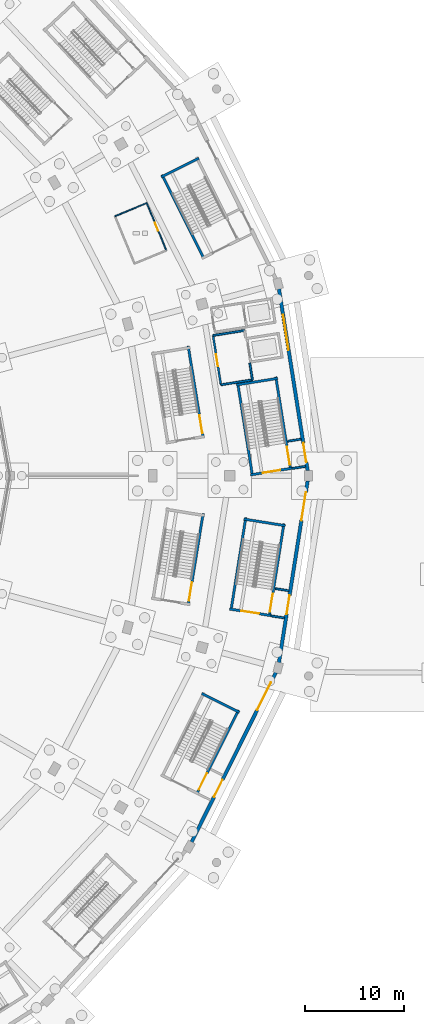
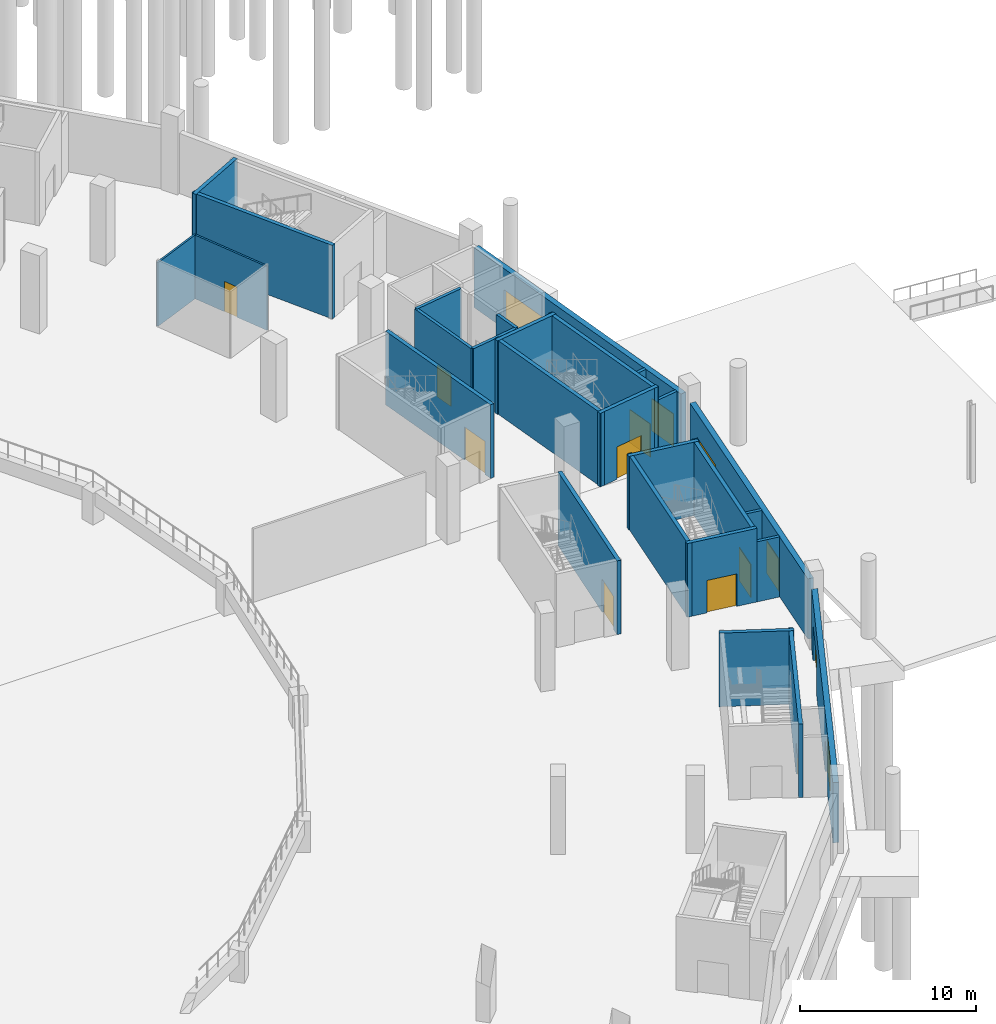
# One storey, part 40 of 103: 27 walls, 15 doors, 15 openings.
"""IFC4 building model written with IfcOpenShell, lengths in metres."""

from ifc_helpers import new_model, si_unit, direction, frame, frame_2d, origin, place, context, subcontext, project, spatial, rectangle, extrude, material, layer, layer_set, type_object, element, fill, save


model = new_model("IFC4")

# Units and contexts
model_context = context("Model", 3, precision=1e-05, world=origin(), true_north=direction((0.0, 1.0)))
body_context = subcontext(model_context, "Body", "Model", "MODEL_VIEW")
ifc_project = project(units=[si_unit("LENGTHUNIT", "METRE"), si_unit("AREAUNIT", "SQUARE_METRE"), si_unit("VOLUMEUNIT", "CUBIC_METRE"), si_unit("PLANEANGLEUNIT", "RADIAN"), si_unit("MASSUNIT", "GRAM", prefix="KILO")], contexts=[model_context])

# Site, building, storey
site_placement = place(None, origin())
site = spatial("IfcSite", under=ifc_project, at=site_placement, CompositionType="ELEMENT")
building_placement = place(site_placement, origin())
building = spatial("IfcBuilding", under=site, at=building_placement, Name="Zevraka Park Crest Stadium", CompositionType="ELEMENT")
storey_placement = place(building_placement, origin())
storey = spatial("IfcBuildingStorey", under=building, at=storey_placement, Name="L00", CompositionType="ELEMENT", Elevation=0.0)

# Wall, openings, doors
ifc_material_1 = material(Name="Limestone and red clay brick masonry", Category="masonry")
ifc_layer_1 = layer(ifc_material_1, 0.35009765625)
ifc_layer_set_1 = layer_set([ifc_layer_1], Name="Limestone and red clay brick masonry")
wall_type_1 = type_object("IfcWallType", Name="EW01", PredefinedType="STANDARD", material=ifc_layer_set_1)
wall_1_placement = place(storey_placement, frame((199.304931640625, 110.967041015625, 0.0), z_axis=(0.0, 0.0, 1.0), x_axis=(0.155972645656, -0.987761374932, 0.0)))
wall_1 = element("IfcWall", 1, at=wall_1_placement, inside=storey, type_object=wall_type_1, Name="L00 Pointed-Arch Colonnade Wall EW01 00", PredefinedType="STANDARD", context=body_context, shape_type="SweptSolid", body=[
    extrude(rectangle(XDim=18.670654296875, YDim=0.35009765625, at=frame_2d((9.33544921875, 0.0))), origin(), (0.0, 0.0, 1.0), 4.1650390625),
])
opening_1_placement = place(wall_1_placement, frame((15.840087890625, 0.0, 0.0)))
opening_1 = element("IfcOpeningElement", 2, at=opening_1_placement, cuts=wall_1, Name="Opening D-L00-EX-ST01", PredefinedType="OPENING", context=body_context, shape_type="SweptSolid", body=[
    extrude(rectangle(XDim=1.949951171875, YDim=2.25, at=frame_2d((0.97509765625, 1.125))), frame((0.0, 0.18505859375, 0.0), z_axis=(0.0, -1.0, 0.0), x_axis=(1.0, 0.0, 0.0)), (0.0, 0.0, 1.0), 0.3701171875),
])
opening_2_placement = place(wall_1_placement, frame((2.680908203125, 0.0, 0.0)))
opening_2 = element("IfcOpeningElement", 3, at=opening_2_placement, cuts=wall_1, Name="Opening D-L00-E01", PredefinedType="OPENING", context=body_context, shape_type="SweptSolid", body=[
    extrude(rectangle(XDim=3.60009765625, YDim=2.699951171875, at=frame_2d((1.800048828125, 1.35009765625))), frame((0.0, 0.18505859375, 0.0), z_axis=(0.0, -1.0, 0.0), x_axis=(1.0, 0.0, 0.0)), (0.0, 0.0, 1.0), 0.3701171875),
])
ifc_material_2 = material(Name="Thermally broken architectural aluminium and safety glass", Category="aluminium")
door_type_1 = type_object("IfcDoorType", Name="ED01", OperationType="NOTDEFINED", PredefinedType="DOOR", material=ifc_material_2)
door_1_placement = place(opening_2_placement, origin())
door_1 = element("IfcDoor", 4, at=door_1_placement, inside=storey, type_object=door_type_1, Name="Main Entrance E01", OperationType="DOUBLE_DOOR_SINGLE_SWING", OverallHeight=2.699951171875, OverallWidth=3.60009765625, PredefinedType="DOOR", context=body_context, shape_type="SweptSolid", body=[
    extrude(rectangle(XDim=3.60009765625, YDim=2.699951171875, at=frame_2d((1.800048828125, 1.35009765625))), frame((0.0, 0.02490234375, 0.0), z_axis=(0.0, -1.0, 0.0), x_axis=(1.0, 0.0, 0.0)), (0.0, 0.0, 1.0), 0.050048828125),
])
fill(opening_2, door_1)
ifc_material_3 = material(Name="Thermally broken architectural aluminium and safety glass", Category="aluminium")
door_type_2 = type_object("IfcDoorType", Name="ED05", OperationType="NOTDEFINED", PredefinedType="DOOR", material=ifc_material_3)
door_2_placement = place(opening_1_placement, origin())
door_2 = element("IfcDoor", 5, at=door_2_placement, inside=storey, type_object=door_type_2, Name="Stair Final Exit Discharge Door D-L00-EX-ST01", OperationType="DOUBLE_DOOR_SINGLE_SWING", OverallHeight=2.25, OverallWidth=1.949951171875, PredefinedType="DOOR", context=body_context, shape_type="SweptSolid", body=[
    extrude(rectangle(XDim=1.949951171875, YDim=2.25, at=frame_2d((0.97509765625, 1.125))), frame((0.0, 0.02490234375, 0.0), z_axis=(0.0, -1.0, 0.0), x_axis=(1.0, 0.0, 0.0)), (0.0, 0.0, 1.0), 0.050048828125),
])
fill(opening_1, door_2)

wall_2_placement = place(storey_placement, frame((198.985107421875, 72.031005859375, 0.0), z_axis=(0.0, 0.0, 1.0), x_axis=(-0.444884558919, -0.895587923788, 0.0)))
wall_2 = element("IfcWall", 6, at=wall_2_placement, inside=storey, type_object=wall_type_1, Name="L00 Pointed-Arch Colonnade Wall EW01 22", PredefinedType="STANDARD", context=body_context, shape_type="SweptSolid", body=[
    extrude(rectangle(XDim=19.21630859375, YDim=0.35009765625, at=frame_2d((9.608154296875, 0.0))), origin(), (0.0, 0.0, 1.0), 4.1650390625),
])
opening_3_placement = place(wall_2_placement, frame((12.160888671875, 0.0, 0.0)))
opening_3 = element("IfcOpeningElement", 7, at=opening_3_placement, cuts=wall_2, Name="Opening D-L00-EX-ST23", PredefinedType="OPENING", context=body_context, shape_type="SweptSolid", body=[
    extrude(rectangle(XDim=1.949951171875, YDim=2.25, at=frame_2d((0.97509765625, 1.125))), frame((0.0, 0.18505859375, 0.0), z_axis=(0.0, -1.0, 0.0), x_axis=(1.0, 0.0, 0.0)), (0.0, 0.0, 1.0), 0.3701171875),
])
opening_4_placement = place(wall_2_placement, frame((1.139892578125, 0.0, 0.0)))
opening_4 = element("IfcOpeningElement", 8, at=opening_4_placement, cuts=wall_2, Name="Opening D-L00-E23", PredefinedType="OPENING", context=body_context, shape_type="SweptSolid", body=[
    extrude(rectangle(XDim=3.10009765625, YDim=2.580078125, at=frame_2d((1.550048828125, 1.2900390625))), frame((0.0, 0.18505859375, 0.0), z_axis=(0.0, -1.0, 0.0), x_axis=(1.0, 0.0, 0.0)), (0.0, 0.0, 1.0), 0.3701171875),
])
door_3_placement = place(opening_3_placement, origin())
door_3 = element("IfcDoor", 9, at=door_3_placement, inside=storey, type_object=door_type_2, Name="Stair Final Exit Discharge Door D-L00-EX-ST23", OperationType="DOUBLE_DOOR_SINGLE_SWING", OverallHeight=2.25, OverallWidth=1.949951171875, PredefinedType="DOOR", context=body_context, shape_type="SweptSolid", body=[
    extrude(rectangle(XDim=1.949951171875, YDim=2.25, at=frame_2d((0.97509765625, 1.125))), frame((0.0, 0.02490234375, 0.0), z_axis=(0.0, -1.0, 0.0), x_axis=(1.0, 0.0, 0.0)), (0.0, 0.0, 1.0), 0.050048828125),
])
fill(opening_3, door_3)
ifc_material_4 = material(Name="Thermally broken architectural aluminium and safety glass", Category="aluminium")
door_type_3 = type_object("IfcDoorType", Name="ED11", OperationType="NOTDEFINED", PredefinedType="DOOR", material=ifc_material_4)
door_4_placement = place(opening_4_placement, origin())
door_4 = element("IfcDoor", 10, at=door_4_placement, inside=storey, type_object=door_type_3, Name="Concourse Final Exit E23", OperationType="DOUBLE_DOOR_SINGLE_SWING", OverallHeight=2.580078125, OverallWidth=3.10009765625, PredefinedType="DOOR", context=body_context, shape_type="SweptSolid", body=[
    extrude(rectangle(XDim=3.10009765625, YDim=2.580078125, at=frame_2d((1.550048828125, 1.2900390625))), frame((0.0, 0.02490234375, 0.0), z_axis=(0.0, -1.0, 0.0), x_axis=(1.0, 0.0, 0.0)), (0.0, 0.0, 1.0), 0.050048828125),
])
fill(opening_4, door_4)

wall_3_placement = place(storey_placement, frame((202.217041015625, 91.47509765625, 0.0), z_axis=(0.0, 0.0, 1.0), x_axis=(-0.155972645656, -0.987761374932, 0.0)))
wall_3 = element("IfcWall", 11, at=wall_3_placement, inside=storey, type_object=wall_type_1, Name="L00 Pointed-Arch Colonnade Wall EW01 23", PredefinedType="STANDARD", context=body_context, shape_type="SweptSolid", body=[
    extrude(rectangle(XDim=18.670654296875, YDim=0.35009765625, at=frame_2d((9.33544921875, 0.0))), origin(), (0.0, 0.0, 1.0), 4.1650390625),
])
opening_5_placement = place(wall_3_placement, frame((11.72998046875, 0.0, 0.0)))
opening_5 = element("IfcOpeningElement", 12, at=opening_5_placement, cuts=wall_3, Name="Opening D-L00-EX-ST24", PredefinedType="OPENING", context=body_context, shape_type="SweptSolid", body=[
    extrude(rectangle(XDim=1.949951171875, YDim=2.25, at=frame_2d((0.97509765625, 1.125))), frame((0.0, 0.18505859375, 0.0), z_axis=(0.0, -1.0, 0.0), x_axis=(1.0, 0.0, 0.0)), (0.0, 0.0, 1.0), 0.3701171875),
])
opening_6_placement = place(wall_3_placement, frame((1.1640625, 0.0, 0.0)))
opening_6 = element("IfcOpeningElement", 13, at=opening_6_placement, cuts=wall_3, Name="Opening D-L00-E24", PredefinedType="OPENING", context=body_context, shape_type="SweptSolid", body=[
    extrude(rectangle(XDim=2.89990234375, YDim=2.52001953125, at=frame_2d((1.449951171875, 1.260009765625))), frame((0.0, 0.18505859375, 0.0), z_axis=(0.0, -1.0, 0.0), x_axis=(1.0, 0.0, 0.0)), (0.0, 0.0, 1.0), 0.3701171875),
])
door_5_placement = place(opening_5_placement, origin())
door_5 = element("IfcDoor", 14, at=door_5_placement, inside=storey, type_object=door_type_2, Name="Stair Final Exit Discharge Door D-L00-EX-ST24", OperationType="DOUBLE_DOOR_SINGLE_SWING", OverallHeight=2.25, OverallWidth=1.949951171875, PredefinedType="DOOR", context=body_context, shape_type="SweptSolid", body=[
    extrude(rectangle(XDim=1.949951171875, YDim=2.25, at=frame_2d((0.97509765625, 1.125))), frame((0.0, 0.02490234375, 0.0), z_axis=(0.0, -1.0, 0.0), x_axis=(1.0, 0.0, 0.0)), (0.0, 0.0, 1.0), 0.050048828125),
])
fill(opening_5, door_5)
ifc_material_5 = material(Name="Thermally broken architectural aluminium and safety glass", Category="aluminium")
door_type_4 = type_object("IfcDoorType", Name="ED12", OperationType="NOTDEFINED", PredefinedType="DOOR", material=ifc_material_5)
door_6_placement = place(opening_6_placement, origin())
door_6 = element("IfcDoor", 15, at=door_6_placement, inside=storey, type_object=door_type_4, Name="Concourse Final Exit E24", OperationType="DOUBLE_DOOR_SINGLE_SWING", OverallHeight=2.52001953125, OverallWidth=2.89990234375, PredefinedType="DOOR", context=body_context, shape_type="SweptSolid", body=[
    extrude(rectangle(XDim=2.89990234375, YDim=2.52001953125, at=frame_2d((1.449951171875, 1.260009765625))), frame((0.0, 0.02490234375, 0.0), z_axis=(0.0, -1.0, 0.0), x_axis=(1.0, 0.0, 0.0)), (0.0, 0.0, 1.0), 0.050048828125),
])
fill(opening_6, door_6)

# Walls
ifc_material_6 = material(Name="Autoclaved aerated masonry blockwork", Category="masonry")
ifc_layer_2 = layer(ifc_material_6, 0.199951171875)
ifc_layer_set_2 = layer_set([ifc_layer_2], Name="Autoclaved aerated masonry blockwork")
wall_type_2 = type_object("IfcWallType", Name="IW01", PredefinedType="PARTITIONING", material=ifc_layer_set_2)
wall_4_placement = place(storey_placement, frame((200.638427734375, 92.737060546875, 0.0), z_axis=(0.0, 0.0, 1.0), x_axis=(0.987762965329, 0.155962573473, 0.0)))
element("IfcWall", 16, at=wall_4_placement, inside=storey, type_object=wall_type_2, Name="Protected Exit Passageway Wall IW01 ST01-A", PredefinedType="PARTITIONING", context=body_context, shape_type="SweptSolid", body=[
    extrude(rectangle(XDim=1.371337890625, YDim=0.199951171875, at=frame_2d((0.685546875, 0.0))), origin(), (0.0, 0.0, 1.0), 4.1650390625),
])
wall_5_placement = place(storey_placement, frame((200.1982421875, 95.50244140625, 0.0), z_axis=(0.0, 0.0, 1.0), x_axis=(0.987737028971, 0.15612674851, 0.0)))
element("IfcWall", 17, at=wall_5_placement, inside=storey, type_object=wall_type_2, Name="Protected Exit Passageway Wall IW01 ST01-B", PredefinedType="PARTITIONING", context=body_context, shape_type="SweptSolid", body=[
    extrude(rectangle(XDim=1.37451171875, YDim=0.199951171875, at=frame_2d((0.687255859375, 0.0))), origin(), (0.0, 0.0, 1.0), 4.1650390625),
])
wall_6_placement = place(storey_placement, frame((198.4921875, 77.782470703125, 0.0), z_axis=(0.0, 0.0, 1.0), x_axis=(0.987768665993, -0.155926464982, 0.0)))
element("IfcWall", 18, at=wall_6_placement, inside=storey, type_object=wall_type_2, Name="Protected Exit Passageway Wall IW01 ST24-A", PredefinedType="PARTITIONING", context=body_context, shape_type="SweptSolid", body=[
    extrude(rectangle(XDim=1.388916015625, YDim=0.199951171875, at=frame_2d((0.6943359375, 0.0))), origin(), (0.0, 0.0, 1.0), 4.1650390625),
])
wall_7_placement = place(storey_placement, frame((198.9326171875, 80.547607421875, 0.0), z_axis=(0.0, 0.0, 1.0), x_axis=(0.987817205995, -0.155618660641, 0.0)))
element("IfcWall", 19, at=wall_7_placement, inside=storey, type_object=wall_type_2, Name="Protected Exit Passageway Wall IW01 ST24-B", PredefinedType="PARTITIONING", context=body_context, shape_type="SweptSolid", body=[
    extrude(rectangle(XDim=1.38525390625, YDim=0.199951171875, at=frame_2d((0.692626953125, 0.0))), origin(), (0.0, 0.0, 1.0), 4.1650390625),
])
wall_8_placement = place(storey_placement, frame((196.343017578125, 103.43603515625, 0.0), z_axis=(0.0, 0.0, 1.0), x_axis=(0.156960903537, -0.987604817101, 0.0)))
element("IfcWall", 20, at=wall_8_placement, inside=storey, type_object=wall_type_2, Name="Firefighting Lift Lobby Wall IW01 FL01 L00 BACKR", PredefinedType="PARTITIONING", context=body_context, shape_type="SweptSolid", body=[
    extrude(rectangle(XDim=1.72021484375, YDim=0.199951171875, at=frame_2d((0.860107421875, 0.0))), origin(), (0.0, 0.0, 1.0), 5.080078125),
])
wall_9_placement = place(storey_placement, frame((195.81689453125, 106.743896484375, 0.0), z_axis=(0.0, 0.0, 1.0), x_axis=(-0.987633675984, -0.156779214382, 0.0)))
element("IfcWall", 21, at=wall_9_placement, inside=storey, type_object=wall_type_2, Name="Firefighting Lift Lobby Wall IW01 FL01 L00 LEFT", PredefinedType="PARTITIONING", context=body_context, shape_type="SweptSolid", body=[
    extrude(rectangle(XDim=3.239013671875, YDim=0.199951171875, at=frame_2d((1.61962890625, 0.0))), origin(), (0.0, 0.0, 1.0), 5.080078125),
])
wall_10_placement = place(storey_placement, frame((196.613037109375, 101.737060546875, 0.0), z_axis=(0.0, 0.0, 1.0), x_axis=(-0.987629416648, -0.156806043797, 0.0)))
element("IfcWall", 22, at=wall_10_placement, inside=storey, type_object=wall_type_2, Name="Firefighting Lift Lobby Wall IW01 FL01 L00 RIGHT", PredefinedType="PARTITIONING", context=body_context, shape_type="SweptSolid", body=[
    extrude(rectangle(XDim=3.239990234375, YDim=0.199951171875, at=frame_2d((1.6201171875, 0.0))), origin(), (0.0, 0.0, 1.0), 5.080078125),
])

# Wall, opening, door
wall_11_placement = place(storey_placement, frame((192.617919921875, 106.236083984375, 0.0), z_axis=(0.0, 0.0, 1.0), x_axis=(0.156842848291, -0.987623572491, 0.0)))
wall_11 = element("IfcWall", 23, at=wall_11_placement, inside=storey, type_object=wall_type_2, Name="Firefighting Lift Lobby Wall IW01 FL01 L00 FRONT", PredefinedType="PARTITIONING", context=body_context, shape_type="SweptSolid", body=[
    extrude(rectangle(XDim=5.06982421875, YDim=0.199951171875, at=frame_2d((2.534912109375, 0.0))), origin(), (0.0, 0.0, 1.0), 5.080078125),
])
opening_7_placement = place(wall_11_placement, frame((1.909912109375, 0.0, 0.0)))
opening_7 = element("IfcOpeningElement", 24, at=opening_7_placement, cuts=wall_11, Name="Opening D-L00-283", PredefinedType="OPENING", context=body_context, shape_type="SweptSolid", body=[
    extrude(rectangle(XDim=1.25, YDim=2.199951171875, at=frame_2d((0.625, 1.10009765625))), frame((0.0, 0.10986328125, 0.0), z_axis=(0.0, -1.0, 0.0), x_axis=(1.0, 0.0, 0.0)), (0.0, 0.0, 1.0), 0.219970703125),
])
ifc_material_7 = material(Name="Solid-core hardwood timber leaf in steel frame", Category="steel")
door_type_5 = type_object("IfcDoorType", Name="DR07", OperationType="NOTDEFINED", PredefinedType="DOOR", material=ifc_material_7)
door_7_placement = place(opening_7_placement, origin())
door_7 = element("IfcDoor", 25, at=door_7_placement, inside=storey, type_object=door_type_5, Name="Firefighting Lift Lobby FL01 Door D-L00-283", OperationType="SINGLE_SWING_LEFT", OverallHeight=2.199951171875, OverallWidth=1.25, PredefinedType="DOOR", context=body_context, shape_type="SweptSolid", body=[
    extrude(rectangle(XDim=1.25, YDim=2.199951171875, at=frame_2d((0.625, 1.10009765625))), frame((0.0, 0.02490234375, 0.0), z_axis=(0.0, -1.0, 0.0), x_axis=(1.0, 0.0, 0.0)), (0.0, 0.0, 1.0), 0.050048828125),
])
fill(opening_7, door_7)

# Wall
ifc_material_8 = material(Name="Moisture-resistant sanitary partition", Category="other")
ifc_layer_3 = layer(ifc_material_8, 0.1201171875)
ifc_layer_set_3 = layer_set([ifc_layer_3], Name="Moisture-resistant sanitary partition")
wall_type_3 = type_object("IfcWallType", Name="IW04", PredefinedType="PARTITIONING", material=ifc_layer_set_3)
wall_12_placement = place(storey_placement, frame((182.652099609375, 118.339111328125, 0.0), z_axis=(0.0, 0.0, 1.0), x_axis=(0.923904592733, 0.382622926034, 0.0)))
element("IfcWall", 26, at=wall_12_placement, inside=storey, type_object=wall_type_3, Name="Sanitary Enclosure Wall IW04 Male WC L00-001-2", PredefinedType="PARTITIONING", context=body_context, shape_type="SweptSolid", body=[
    extrude(rectangle(XDim=3.499267578125, YDim=0.1201171875, at=frame_2d((1.74951171875, 0.0))), origin(), (0.0, 0.0, 1.0), 4.4150390625),
])

# Wall, opening, door
wall_13_placement = place(storey_placement, frame((185.885009765625, 119.677978515625, 0.0), z_axis=(0.0, 0.0, 1.0), x_axis=(0.382704261034, -0.923870904719, 0.0)))
wall_13 = element("IfcWall", 27, at=wall_13_placement, inside=storey, type_object=wall_type_3, Name="Sanitary Enclosure Wall IW04 Male WC L00-001-3", PredefinedType="PARTITIONING", context=body_context, shape_type="SweptSolid", body=[
    extrude(rectangle(XDim=5.19970703125, YDim=0.1201171875, at=frame_2d((2.599853515625, 0.0))), origin(), (0.0, 0.0, 1.0), 4.4150390625),
])
opening_8_placement = place(wall_13_placement, frame((2.14990234375, 0.0, 0.0)))
opening_8 = element("IfcOpeningElement", 28, at=opening_8_placement, cuts=wall_13, Name="Opening D-L00-337", PredefinedType="OPENING", context=body_context, shape_type="SweptSolid", body=[
    extrude(rectangle(XDim=0.89990234375, YDim=2.10009765625, at=frame_2d((0.449951171875, 1.050048828125))), frame((0.0, 0.070068359375, 0.0), z_axis=(0.0, -1.0, 0.0), x_axis=(1.0, 0.0, 0.0)), (0.0, 0.0, 1.0), 0.14013671875),
])
ifc_material_9 = material(Name="Solid-core hardwood timber leaf in steel frame", Category="steel")
door_type_6 = type_object("IfcDoorType", Name="DR01", OperationType="NOTDEFINED", PredefinedType="DOOR", material=ifc_material_9)
door_8_placement = place(opening_8_placement, origin())
door_8 = element("IfcDoor", 29, at=door_8_placement, inside=storey, type_object=door_type_6, Name="Male WC Door D-L00-337", OperationType="SINGLE_SWING_LEFT", OverallHeight=2.10009765625, OverallWidth=0.89990234375, PredefinedType="DOOR", context=body_context, shape_type="SweptSolid", body=[
    extrude(rectangle(XDim=0.89990234375, YDim=2.10009765625, at=frame_2d((0.449951171875, 1.050048828125))), frame((0.0, 0.02490234375, 0.0), z_axis=(0.0, -1.0, 0.0), x_axis=(1.0, 0.0, 0.0)), (0.0, 0.0, 1.0), 0.050048828125),
])
fill(opening_8, door_8)

ifc_material_10 = material(Name="Concrete C40/50", Category="concrete")
ifc_layer_4 = layer(ifc_material_10, 0.25)
ifc_layer_set_4 = layer_set([ifc_layer_4], Name="Concrete C40/50")
wall_type_4 = type_object("IfcWallType", Name="SW01", PredefinedType="SHEAR", material=ifc_layer_set_4)
wall_14_placement = place(storey_placement, frame((198.984375, 102.04296875, 0.0), z_axis=(0.0, 0.0, 1.0), x_axis=(0.157268610044, -0.987555863886, 0.0)))
wall_14 = element("IfcWall", 30, at=wall_14_placement, inside=storey, type_object=wall_type_4, Name="Stair Core Shear Wall SW01 ST01 L00 left", PredefinedType="SHEAR", context=body_context, shape_type="SweptSolid", body=[
    extrude(rectangle(XDim=9.55029296875, YDim=0.25, at=frame_2d((4.775146484375, 0.0))), origin(), (0.0, 0.0, 1.0), 5.10009765625),
])
opening_9_placement = place(wall_14_placement, frame((7.18994140625, 0.0, 0.0)))
opening_9 = element("IfcOpeningElement", 31, at=opening_9_placement, cuts=wall_14, Name="Opening D-L00-002", PredefinedType="OPENING", context=body_context, shape_type="SweptSolid", body=[
    extrude(rectangle(XDim=1.85009765625, YDim=2.300048828125, at=frame_2d((0.925048828125, 1.14990234375))), frame((0.0, 0.135009765625, 0.0), z_axis=(0.0, -1.0, 0.0), x_axis=(1.0, 0.0, 0.0)), (0.0, 0.0, 1.0), 0.27001953125),
])
ifc_material_11 = material(Name="Solid-core hardwood timber leaf in steel frame", Category="steel")
door_type_7 = type_object("IfcDoorType", Name="DR05", OperationType="NOTDEFINED", PredefinedType="DOOR", material=ifc_material_11)
door_9_placement = place(opening_9_placement, origin())
door_9 = element("IfcDoor", 32, at=door_9_placement, inside=storey, type_object=door_type_7, Name="Stair Exit Discharge Door ST01", OperationType="DOUBLE_DOOR_SINGLE_SWING", OverallHeight=2.300048828125, OverallWidth=1.85009765625, PredefinedType="DOOR", context=body_context, shape_type="SweptSolid", body=[
    extrude(rectangle(XDim=1.85009765625, YDim=2.300048828125, at=frame_2d((0.925048828125, 1.14990234375))), frame((0.0, 0.02490234375, 0.0), z_axis=(0.0, -1.0, 0.0), x_axis=(1.0, 0.0, 0.0)), (0.0, 0.0, 1.0), 0.050048828125),
])
fill(opening_9, door_9)

# Wall
wall_15_placement = place(storey_placement, frame((195.11328125, 101.426513671875, 0.0), z_axis=(0.0, 0.0, 1.0), x_axis=(0.157243678356, -0.987559833943, 0.0)))
element("IfcWall", 33, at=wall_15_placement, inside=storey, type_object=wall_type_4, Name="Stair Core Shear Wall SW01 ST01 L00 right", PredefinedType="SHEAR", context=body_context, shape_type="SweptSolid", body=[
    extrude(rectangle(XDim=9.55029296875, YDim=0.25, at=frame_2d((4.775146484375, 0.0))), origin(), (0.0, 0.0, 1.0), 5.10009765625),
])

# Wall, opening, door
wall_16_placement = place(storey_placement, frame((196.427490234375, 92.092041015625, 0.0), z_axis=(0.0, 0.0, 1.0), x_axis=(0.987557660991, 0.157257324847, 0.0)))
wall_16 = element("IfcWall", 34, at=wall_16_placement, inside=storey, type_object=wall_type_4, Name="Stair Core Shear Wall SW01 ST01 L00 near", PredefinedType="SHEAR", context=body_context, shape_type="SweptSolid", body=[
    extrude(rectangle(XDim=4.260009765625, YDim=0.25, at=frame_2d((2.1298828125, 0.0))), origin(), (0.0, 0.0, 1.0), 5.10009765625),
])
opening_10_placement = place(wall_16_placement, frame((1.22998046875, 0.0, 0.0)))
opening_10 = element("IfcOpeningElement", 35, at=opening_10_placement, cuts=wall_16, Name="Opening D-L00-001", PredefinedType="OPENING", context=body_context, shape_type="SweptSolid", body=[
    extrude(rectangle(XDim=1.800048828125, YDim=2.25, at=frame_2d((0.89990234375, 1.125))), frame((0.0, 0.135009765625, 0.0), z_axis=(0.0, -1.0, 0.0), x_axis=(1.0, 0.0, 0.0)), (0.0, 0.0, 1.0), 0.27001953125),
])
ifc_material_12 = material(Name="Solid-core hardwood timber leaf in steel frame", Category="steel")
door_type_8 = type_object("IfcDoorType", Name="DR04", OperationType="NOTDEFINED", PredefinedType="DOOR", material=ifc_material_12)
door_10_placement = place(opening_10_placement, origin())
door_10 = element("IfcDoor", 36, at=door_10_placement, inside=storey, type_object=door_type_8, Name="Protected Stair Entry Door ST01 L00", OperationType="DOUBLE_DOOR_SINGLE_SWING", OverallHeight=2.25, OverallWidth=1.800048828125, PredefinedType="DOOR", context=body_context, shape_type="SweptSolid", body=[
    extrude(rectangle(XDim=1.800048828125, YDim=2.25, at=frame_2d((0.89990234375, 1.125))), frame((0.0, 0.02490234375, 0.0), z_axis=(0.0, -1.0, 0.0), x_axis=(1.0, 0.0, 0.0)), (0.0, 0.0, 1.0), 0.050048828125),
])
fill(opening_10, door_10)

# Walls
wall_17_placement = place(storey_placement, frame((199.181396484375, 101.886962890625, 0.0), z_axis=(0.0, 0.0, 1.0), x_axis=(-0.987557660991, -0.157257324847, 0.0)))
element("IfcWall", 37, at=wall_17_placement, inside=storey, type_object=wall_type_4, Name="Stair Core Shear Wall SW01 ST01 L00 far", PredefinedType="SHEAR", context=body_context, shape_type="SweptSolid", body=[
    extrude(rectangle(XDim=4.260009765625, YDim=0.25, at=frame_2d((2.1298828125, 0.0))), origin(), (0.0, 0.0, 1.0), 5.10009765625),
])
wall_18_placement = place(storey_placement, frame((187.43212890625, 122.556884765625, 0.0), z_axis=(0.0, 0.0, 1.0), x_axis=(0.447919041961, -0.894074119885, 0.0)))
element("IfcWall", 38, at=wall_18_placement, inside=storey, type_object=wall_type_4, Name="Stair Core Shear Wall SW01 ST02 L00 right", PredefinedType="SHEAR", context=body_context, shape_type="SweptSolid", body=[
    extrude(rectangle(XDim=9.5498046875, YDim=0.25, at=frame_2d((4.77490234375, 0.0))), origin(), (0.0, 0.0, 1.0), 5.10009765625),
])
wall_19_placement = place(storey_placement, frame((191.171875, 124.223388671875, 0.0), z_axis=(0.0, 0.0, 1.0), x_axis=(-0.89409454548, -0.447878268888, 0.0)))
element("IfcWall", 39, at=wall_19_placement, inside=storey, type_object=wall_type_4, Name="Stair Core Shear Wall SW01 ST02 L00 far", PredefinedType="SHEAR", context=body_context, shape_type="SweptSolid", body=[
    extrude(rectangle(XDim=4.260009765625, YDim=0.25, at=frame_2d((2.1298828125, 0.0))), origin(), (0.0, 0.0, 1.0), 5.10009765625),
])

# Wall, opening, door
wall_20_placement = place(storey_placement, frame((195.214111328125, 68.22509765625, 0.0), z_axis=(0.0, 0.0, 1.0), x_axis=(-0.447919041961, -0.894074119885, 0.0)))
wall_20 = element("IfcWall", 40, at=wall_20_placement, inside=storey, type_object=wall_type_4, Name="Stair Core Shear Wall SW01 ST23 L00 left", PredefinedType="SHEAR", context=body_context, shape_type="SweptSolid", body=[
    extrude(rectangle(XDim=9.5498046875, YDim=0.25, at=frame_2d((4.77490234375, 0.0))), origin(), (0.0, 0.0, 1.0), 5.10009765625),
])
opening_11_placement = place(wall_20_placement, frame((7.18994140625, 0.0, 0.0)))
opening_11 = element("IfcOpeningElement", 41, at=opening_11_placement, cuts=wall_20, Name="Opening D-L00-135", PredefinedType="OPENING", context=body_context, shape_type="SweptSolid", body=[
    extrude(rectangle(XDim=1.85009765625, YDim=2.300048828125, at=frame_2d((0.925048828125, 1.14990234375))), frame((0.0, 0.135009765625, 0.0), z_axis=(0.0, -1.0, 0.0), x_axis=(1.0, 0.0, 0.0)), (0.0, 0.0, 1.0), 0.27001953125),
])
door_11_placement = place(opening_11_placement, origin())
door_11 = element("IfcDoor", 42, at=door_11_placement, inside=storey, type_object=door_type_7, Name="Stair Exit Discharge Door ST23", OperationType="DOUBLE_DOOR_SINGLE_SWING", OverallHeight=2.300048828125, OverallWidth=1.85009765625, PredefinedType="DOOR", context=body_context, shape_type="SweptSolid", body=[
    extrude(rectangle(XDim=1.85009765625, YDim=2.300048828125, at=frame_2d((0.925048828125, 1.14990234375))), frame((0.0, 0.02490234375, 0.0), z_axis=(0.0, -1.0, 0.0), x_axis=(1.0, 0.0, 0.0)), (0.0, 0.0, 1.0), 0.050048828125),
])
fill(opening_11, door_11)

# Wall
wall_21_placement = place(storey_placement, frame((195.283203125, 67.983642578125, 0.0), z_axis=(0.0, 0.0, 1.0), x_axis=(-0.894083048484, 0.447901219481, 0.0)))
element("IfcWall", 43, at=wall_21_placement, inside=storey, type_object=wall_type_4, Name="Stair Core Shear Wall SW01 ST23 L00 far", PredefinedType="SHEAR", context=body_context, shape_type="SweptSolid", body=[
    extrude(rectangle(XDim=4.259765625, YDim=0.25, at=frame_2d((2.1298828125, 0.0))), origin(), (0.0, 0.0, 1.0), 5.10009765625),
])

# Wall, opening, door
wall_22_placement = place(storey_placement, frame((199.810546875, 87.1416015625, 0.0), z_axis=(0.0, 0.0, 1.0), x_axis=(-0.157272580499, -0.987555231581, 0.0)))
wall_22 = element("IfcWall", 44, at=wall_22_placement, inside=storey, type_object=wall_type_4, Name="Stair Core Shear Wall SW01 ST24 L00 left", PredefinedType="SHEAR", context=body_context, shape_type="SweptSolid", body=[
    extrude(rectangle(XDim=9.550048828125, YDim=0.25, at=frame_2d((4.77490234375, 0.0))), origin(), (0.0, 0.0, 1.0), 5.10009765625),
])
opening_12_placement = place(wall_22_placement, frame((7.18994140625, 0.0, 0.0)))
opening_12 = element("IfcOpeningElement", 45, at=opening_12_placement, cuts=wall_22, Name="Opening D-L00-141", PredefinedType="OPENING", context=body_context, shape_type="SweptSolid", body=[
    extrude(rectangle(XDim=1.85009765625, YDim=2.300048828125, at=frame_2d((0.925048828125, 1.14990234375))), frame((0.0, 0.135009765625, 0.0), z_axis=(0.0, -1.0, 0.0), x_axis=(1.0, 0.0, 0.0)), (0.0, 0.0, 1.0), 0.27001953125),
])
door_12_placement = place(opening_12_placement, origin())
door_12 = element("IfcDoor", 46, at=door_12_placement, inside=storey, type_object=door_type_7, Name="Stair Exit Discharge Door ST24", OperationType="DOUBLE_DOOR_SINGLE_SWING", OverallHeight=2.300048828125, OverallWidth=1.85009765625, PredefinedType="DOOR", context=body_context, shape_type="SweptSolid", body=[
    extrude(rectangle(XDim=1.85009765625, YDim=2.300048828125, at=frame_2d((0.925048828125, 1.14990234375))), frame((0.0, 0.02490234375, 0.0), z_axis=(0.0, -1.0, 0.0), x_axis=(1.0, 0.0, 0.0)), (0.0, 0.0, 1.0), 0.050048828125),
])
fill(opening_12, door_12)

# Wall
wall_23_placement = place(storey_placement, frame((195.939208984375, 87.758056640625, 0.0), z_axis=(0.0, 0.0, 1.0), x_axis=(-0.157247648214, -0.987559201836, 0.0)))
element("IfcWall", 47, at=wall_23_placement, inside=storey, type_object=wall_type_4, Name="Stair Core Shear Wall SW01 ST24 L00 right", PredefinedType="SHEAR", context=body_context, shape_type="SweptSolid", body=[
    extrude(rectangle(XDim=9.550048828125, YDim=0.25, at=frame_2d((4.77490234375, 0.0))), origin(), (0.0, 0.0, 1.0), 5.10009765625),
])

# Wall, opening, door
wall_24_placement = place(storey_placement, frame((194.289306640625, 78.477294921875, 0.0), z_axis=(0.0, 0.0, 1.0), x_axis=(0.987548759282, -0.157313216355, 0.0)))
wall_24 = element("IfcWall", 48, at=wall_24_placement, inside=storey, type_object=wall_type_4, Name="Stair Core Shear Wall SW01 ST24 L00 near", PredefinedType="SHEAR", context=body_context, shape_type="SweptSolid", body=[
    extrude(rectangle(XDim=4.260009765625, YDim=0.25, at=frame_2d((2.1298828125, 0.0))), origin(), (0.0, 0.0, 1.0), 5.10009765625),
])
opening_13_placement = place(wall_24_placement, frame((1.22998046875, 0.0, 0.0)))
opening_13 = element("IfcOpeningElement", 49, at=opening_13_placement, cuts=wall_24, Name="Opening D-L00-140", PredefinedType="OPENING", context=body_context, shape_type="SweptSolid", body=[
    extrude(rectangle(XDim=1.800048828125, YDim=2.25, at=frame_2d((0.89990234375, 1.125))), frame((0.0, 0.135009765625, 0.0), z_axis=(0.0, -1.0, 0.0), x_axis=(1.0, 0.0, 0.0)), (0.0, 0.0, 1.0), 0.27001953125),
])
door_13_placement = place(opening_13_placement, origin())
door_13 = element("IfcDoor", 50, at=door_13_placement, inside=storey, type_object=door_type_8, Name="Protected Stair Entry Door ST24 L00", OperationType="DOUBLE_DOOR_SINGLE_SWING", OverallHeight=2.25, OverallWidth=1.800048828125, PredefinedType="DOOR", context=body_context, shape_type="SweptSolid", body=[
    extrude(rectangle(XDim=1.800048828125, YDim=2.25, at=frame_2d((0.89990234375, 1.125))), frame((0.0, 0.02490234375, 0.0), z_axis=(0.0, -1.0, 0.0), x_axis=(1.0, 0.0, 0.0)), (0.0, 0.0, 1.0), 0.050048828125),
])
fill(opening_13, door_13)

# Wall
wall_25_placement = place(storey_placement, frame((199.94921875, 86.932373046875, 0.0), z_axis=(0.0, 0.0, 1.0), x_axis=(-0.987556243614, 0.157266225551, 0.0)))
element("IfcWall", 51, at=wall_25_placement, inside=storey, type_object=wall_type_4, Name="Stair Core Shear Wall SW01 ST24 L00 far", PredefinedType="SHEAR", context=body_context, shape_type="SweptSolid", body=[
    extrude(rectangle(XDim=4.259765625, YDim=0.25, at=frame_2d((2.1298828125, 0.0))), origin(), (0.0, 0.0, 1.0), 5.10009765625),
])

# Wall, opening, door
wall_26_placement = place(storey_placement, frame((190.091552734375, 105.1591796875, 0.0), z_axis=(0.0, 0.0, 1.0), x_axis=(0.160694331821, -0.987004220721, 0.0)))
wall_26 = element("IfcWall", 52, at=wall_26_placement, inside=storey, type_object=wall_type_4, Name="Stair Core Shear Wall SW01 ST33 L00 left", PredefinedType="SHEAR", context=body_context, shape_type="SweptSolid", body=[
    extrude(rectangle(XDim=9.449951171875, YDim=0.25, at=frame_2d((4.72509765625, 0.0))), origin(), (0.0, 0.0, 1.0), 5.10009765625),
])
opening_14_placement = place(wall_26_placement, frame((7.090087890625, 0.0, 0.0)))
opening_14 = element("IfcOpeningElement", 53, at=opening_14_placement, cuts=wall_26, Name="Opening D-L00-186", PredefinedType="OPENING", context=body_context, shape_type="SweptSolid", body=[
    extrude(rectangle(XDim=1.85009765625, YDim=2.300048828125, at=frame_2d((0.925048828125, 1.14990234375))), frame((0.0, 0.135009765625, 0.0), z_axis=(0.0, -1.0, 0.0), x_axis=(1.0, 0.0, 0.0)), (0.0, 0.0, 1.0), 0.27001953125),
])
door_14_placement = place(opening_14_placement, origin())
door_14 = element("IfcDoor", 54, at=door_14_placement, inside=storey, type_object=door_type_7, Name="Stair Exit Discharge Door ST33", OperationType="DOUBLE_DOOR_SINGLE_SWING", OverallHeight=2.300048828125, OverallWidth=1.85009765625, PredefinedType="DOOR", context=body_context, shape_type="SweptSolid", body=[
    extrude(rectangle(XDim=1.85009765625, YDim=2.300048828125, at=frame_2d((0.925048828125, 1.14990234375))), frame((0.0, 0.02490234375, 0.0), z_axis=(0.0, -1.0, 0.0), x_axis=(1.0, 0.0, 0.0)), (0.0, 0.0, 1.0), 0.050048828125),
])
fill(opening_14, door_14)

wall_27_placement = place(storey_placement, frame((191.609375, 88.16748046875, 0.0), z_axis=(0.0, 0.0, 1.0), x_axis=(-0.160694331821, -0.987004220721, 0.0)))
wall_27 = element("IfcWall", 55, at=wall_27_placement, inside=storey, type_object=wall_type_4, Name="Stair Core Shear Wall SW01 ST44 L00 left", PredefinedType="SHEAR", context=body_context, shape_type="SweptSolid", body=[
    extrude(rectangle(XDim=9.449951171875, YDim=0.25, at=frame_2d((4.72509765625, 0.0))), origin(), (0.0, 0.0, 1.0), 5.10009765625),
])
opening_15_placement = place(wall_27_placement, frame((7.090087890625, 0.0, 0.0)))
opening_15 = element("IfcOpeningElement", 56, at=opening_15_placement, cuts=wall_27, Name="Opening D-L00-230", PredefinedType="OPENING", context=body_context, shape_type="SweptSolid", body=[
    extrude(rectangle(XDim=1.85009765625, YDim=2.300048828125, at=frame_2d((0.925048828125, 1.14990234375))), frame((0.0, 0.135009765625, 0.0), z_axis=(0.0, -1.0, 0.0), x_axis=(1.0, 0.0, 0.0)), (0.0, 0.0, 1.0), 0.27001953125),
])
door_15_placement = place(opening_15_placement, origin())
door_15 = element("IfcDoor", 57, at=door_15_placement, inside=storey, type_object=door_type_7, Name="Stair Exit Discharge Door ST44", OperationType="DOUBLE_DOOR_SINGLE_SWING", OverallHeight=2.300048828125, OverallWidth=1.85009765625, PredefinedType="DOOR", context=body_context, shape_type="SweptSolid", body=[
    extrude(rectangle(XDim=1.85009765625, YDim=2.300048828125, at=frame_2d((0.925048828125, 1.14990234375))), frame((0.0, 0.02490234375, 0.0), z_axis=(0.0, -1.0, 0.0), x_axis=(1.0, 0.0, 0.0)), (0.0, 0.0, 1.0), 0.050048828125),
])
fill(opening_15, door_15)

save(model, "model.ifc")
